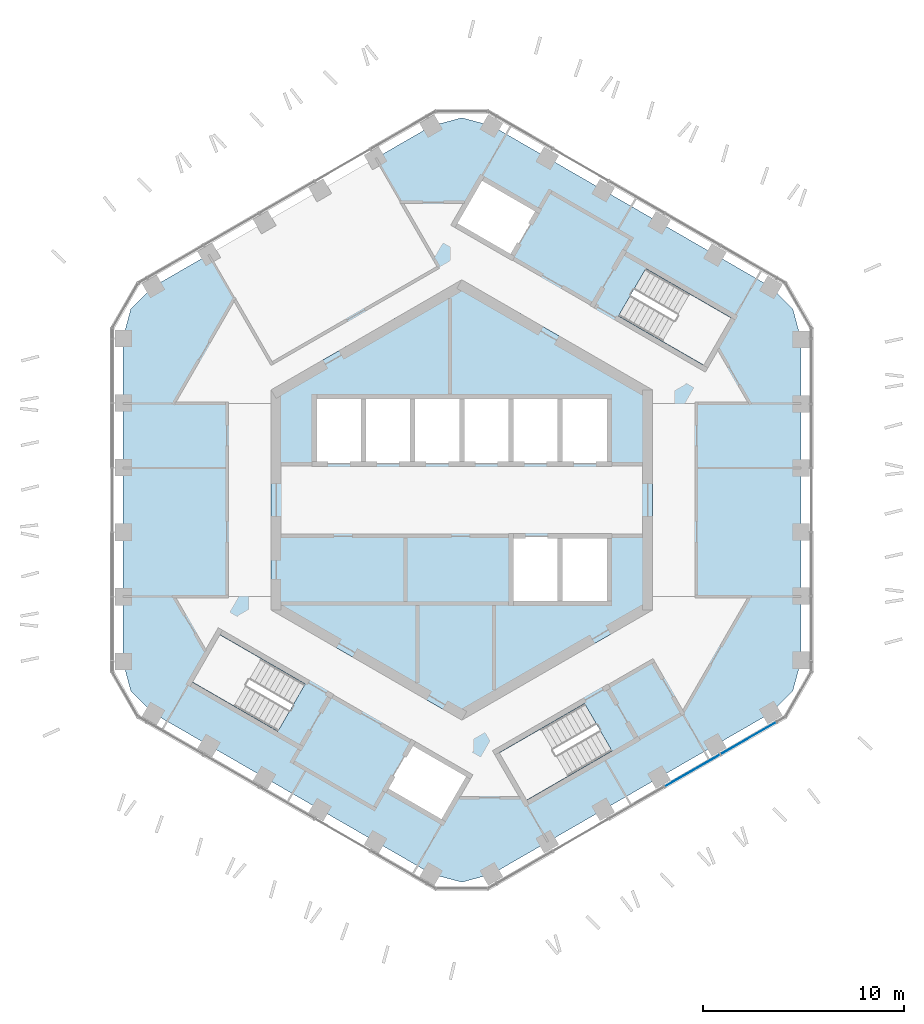
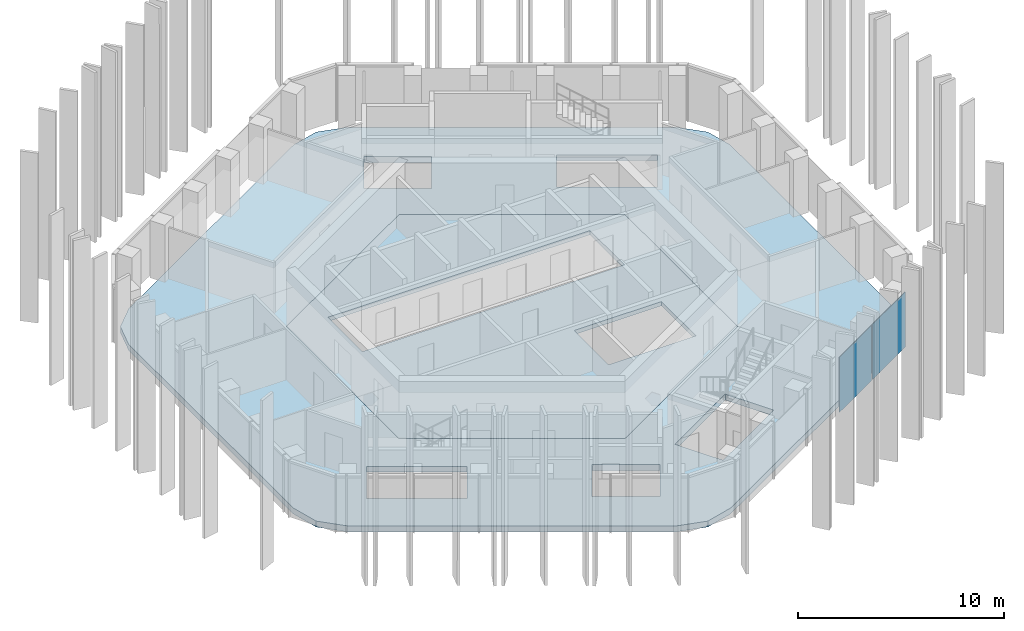
# One storey, part 9 of 18: 2 plates, 2 slabs, 1 element without a shape of its own.
"""IFC4 building model written with IfcOpenShell, lengths in metres."""

from ifc_helpers import new_model, si_unit, direction, frame, origin, origin_2d, place, context, subcontext, project, spatial, polyline, rectangle, outline, extrude, material, layer, layer_set, type_object, element, aggregate, save


model = new_model("IFC4")

# Units and contexts
model_context = context("Model", 3, precision=1e-05, world=origin(), true_north=direction((0.0, 1.0)))
body_context = subcontext(model_context, "Body", "Model", "MODEL_VIEW")
ifc_project = project(units=[si_unit("LENGTHUNIT", "METRE"), si_unit("AREAUNIT", "SQUARE_METRE"), si_unit("VOLUMEUNIT", "CUBIC_METRE"), si_unit("PLANEANGLEUNIT", "RADIAN"), si_unit("MASSUNIT", "GRAM", prefix="KILO")], contexts=[model_context])

# Site, building, storey
site_placement = place(None, origin())
site = spatial("IfcSite", under=ifc_project, at=site_placement, CompositionType="ELEMENT")
building_placement = place(site_placement, origin())
building = spatial("IfcBuilding", under=site, at=building_placement, Name="Ayvan Gate Tower", CompositionType="ELEMENT")
storey_placement = place(building_placement, frame((0.0, 0.0, 218.89990234375)))
storey = spatial("IfcBuildingStorey", under=building, at=storey_placement, Name="L58", CompositionType="ELEMENT", Elevation=218.89990234375)

# Slabs
ifc_material_1 = material(Name="Concrete C40/50", Category="concrete")
ifc_layer_1 = layer(ifc_material_1, 0.35009765625)
ifc_layer_set_1 = layer_set([ifc_layer_1], Name="Concrete C40/50")
slab_type_1 = type_object("IfcSlabType", Name="Post-tensioned flat slab 350", PredefinedType="FLOOR", material=ifc_layer_set_1)
slab_1_placement = place(storey_placement, frame((0.0, 0.0, -0.349853515625)))
element("IfcSlab", 1, at=slab_1_placement, inside=storey, type_object=slab_type_1, Name="SL-L58", PredefinedType="FLOOR", context=body_context, shape_type="SweptSolid", body=[
    extrude(outline(polyline([(1.5, -18.634033203125), (0.0, -19.035888671875), (-1.5, -18.634033203125), (-15.387451171875, -10.615966796875), (-16.485595703125, -9.51806640625), (-16.887451171875, -8.01806640625), (-16.887451171875, 8.01806640625), (-16.485595703125, 9.51806640625), (-15.387451171875, 10.615966796875), (-1.5, 18.634033203125), (0.0, 19.035888671875), (1.5, 18.634033203125), (15.387451171875, 10.615966796875), (16.485595703125, 9.51806640625), (16.887451171875, 8.01806640625), (16.887451171875, -8.01806640625), (16.485595703125, -9.51806640625), (15.387451171875, -10.615966796875), (1.5, -18.634033203125)]), holes=[polyline([(12.049560546875, 6.720458984375), (13.404541015625, 9.0673828125), (9.1611328125, 11.517578125), (7.80615234375, 9.170654296875), (12.049560546875, 6.720458984375)]), polyline([(9.5, 5.48486328125), (0.0, 10.9697265625), (-9.5, 5.48486328125), (-9.5, -5.48486328125), (0.0, -10.9697265625), (9.5, -5.48486328125), (9.5, 5.48486328125)]), polyline([(1.873779296875, -12.595458984375), (3.228759765625, -14.9423828125), (7.472412109375, -12.492431640625), (6.117431640625, -10.1455078125), (1.873779296875, -12.595458984375)]), polyline([(3.822509765625, 14.420654296875), (0.964599609375, 16.07080078125), (-0.385498046875, 13.732421875), (2.472412109375, 12.08251953125), (3.822509765625, 14.420654296875)]), polyline([(-0.251708984375, -14.8359375), (0.385498046875, -13.732421875), (-2.472412109375, -12.08251953125), (-3.822509765625, -14.420654296875), (-0.964599609375, -16.07080078125), (-0.251708984375, -14.8359375)]), polyline([(-9.1611328125, -11.517578125), (-7.80615234375, -9.170654296875), (-12.049560546875, -6.720458984375), (-13.404541015625, -9.0673828125), (-9.1611328125, -11.517578125)])]), origin(), (0.0, 0.0, 1.0), 0.349853515625),
])
ifc_layer_2 = layer(ifc_material_1, 0.25)
ifc_layer_set_2 = layer_set([ifc_layer_2], Name="Concrete C40/50")
slab_type_2 = type_object("IfcSlabType", Name="SL-CORE-250", PredefinedType="FLOOR", material=ifc_layer_set_2)
slab_2_placement = place(storey_placement, frame((0.0, 0.0, -0.25)))
element("IfcSlab", 2, at=slab_2_placement, inside=storey, type_object=slab_type_2, Name="CS-L58", PredefinedType="FLOOR", context=body_context, shape_type="SweptSolid", body=[
    extrude(outline(polyline([(9.5, -5.48486328125), (0.0, -10.9697265625), (-9.5, -5.48486328125), (-9.5, 5.48486328125), (0.0, 10.9697265625), (9.5, 5.48486328125), (9.5, -5.48486328125)]), holes=[polyline([(-7.35009765625, 5.14990234375), (-7.35009765625, 1.800048828125), (7.35009765625, 1.800048828125), (7.35009765625, 5.14990234375), (-7.35009765625, 5.14990234375)]), polyline([(2.449951171875, -1.800048828125), (2.449951171875, -5.14990234375), (7.35009765625, -5.14990234375), (7.35009765625, -1.800048828125), (2.449951171875, -1.800048828125)])]), origin(), (0.0, 0.0, 1.0), 0.25),
])

# Curtain wall, plates
ifc_material_2 = material(Name="Bronze anodised aluminium", Category="aluminium")
ifc_layer_3 = layer(ifc_material_2, 0.199951171875)
ifc_layer_set_3 = layer_set([ifc_layer_3], Name="Bronze anodised aluminium")
curtain_wall_type = type_object("IfcCurtainWallType", Name="Stick curtain wall CW-2", PredefinedType="NOTDEFINED", material=ifc_layer_set_3)
curtain_wall_placement = place(storey_placement, origin())
curtain_wall = element("IfcCurtainWall", 3, at=curtain_wall_placement, inside=storey, type_object=curtain_wall_type, Name="Stick curtain wall CW-2 L58", PredefinedType="NOTDEFINED")
ifc_material_3 = material(Name="Clear low-iron laminated glass", Category="glass")
ifc_layer_4 = layer(ifc_material_3, 0.028076171875)
ifc_layer_set_4 = layer_set([ifc_layer_4], Name="Clear low-iron laminated glass")
plate_type = type_object("IfcPlateType", Name="Stick curtain wall CW-2 glass panel", PredefinedType="CURTAIN_PANEL", material=ifc_layer_set_4)
plate_1_placement = place(storey_placement, frame((11.489501953125, -13.47265625, 0.0), z_axis=(0.0, 0.0, 1.0), x_axis=(0.866025403784, 0.5, 0.0)))
plate_1 = element("IfcPlate", 4, at=plate_1_placement, type_object=plate_type, Name="CW-2 glass panel 4", PredefinedType="CURTAIN_PANEL", context=body_context, shape_type="SweptSolid", body=[
    extrude(rectangle(XDim=3.14404296875, YDim=0.028076171875, at=origin_2d()), origin(), (0.0, 0.0, 1.0), 3.280029296875),
])
plate_2_placement = place(storey_placement, frame((14.295654296875, -11.852783203125, 0.0), z_axis=(0.0, 0.0, 1.0), x_axis=(0.866025403784, 0.5, 0.0)))
plate_2 = element("IfcPlate", 5, at=plate_2_placement, type_object=plate_type, Name="CW-2 glass panel 5", PredefinedType="CURTAIN_PANEL", context=body_context, shape_type="SweptSolid", body=[
    extrude(rectangle(XDim=3.196044921875, YDim=0.028076171875, at=origin_2d()), origin(), (0.0, 0.0, 1.0), 3.280029296875),
])
aggregate(curtain_wall, [plate_1, plate_2])

save(model, "model.ifc")
